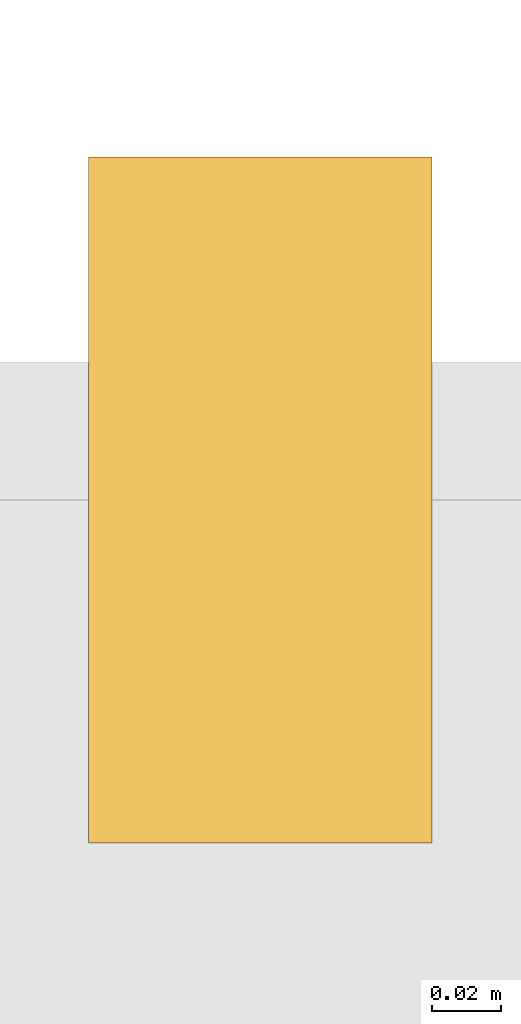
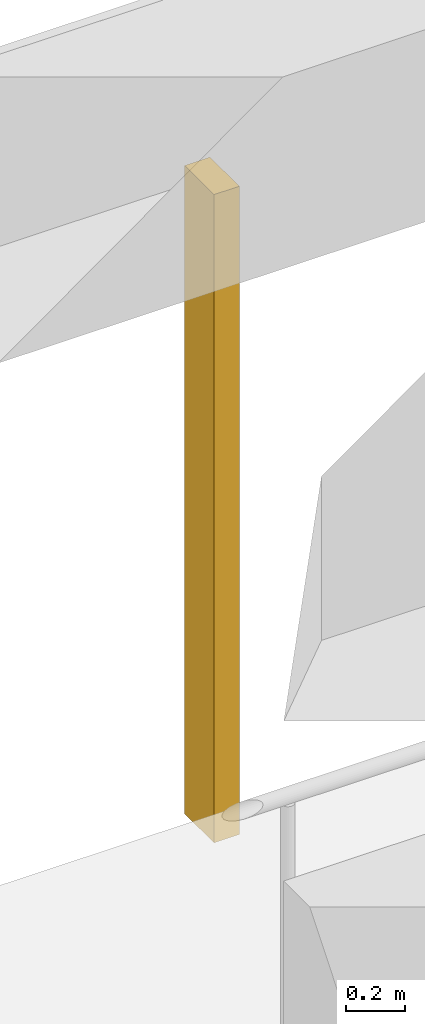
# One storey, part 15 of 22: 1 shading device.
"""IFC4 building model written with IfcOpenShell, lengths in metres."""

from ifc_helpers import new_model, si_unit, direction, frame, origin, origin_2d, place, context, subcontext, project, spatial, rectangle, extrude, material, material_profile, profile_set, type_object, element, save


model = new_model("IFC4")

# Units and contexts
model_context = context("Model", 3, precision=1e-05, world=origin(), true_north=direction((0.0, 1.0)))
body_context = subcontext(model_context, "Body", "Model", "MODEL_VIEW")
ifc_project = project(units=[si_unit("LENGTHUNIT", "METRE"), si_unit("AREAUNIT", "SQUARE_METRE"), si_unit("VOLUMEUNIT", "CUBIC_METRE"), si_unit("PLANEANGLEUNIT", "RADIAN"), si_unit("MASSUNIT", "GRAM", prefix="KILO")], contexts=[model_context])

# Site, building, storey
site_placement = place(None, origin())
site = spatial("IfcSite", under=ifc_project, at=site_placement, CompositionType="ELEMENT")
building_placement = place(site_placement, origin())
building = spatial("IfcBuilding", under=site, at=building_placement, Name="Vermilion Gate Residences", CompositionType="ELEMENT")
storey_placement = place(building_placement, frame((0.0, 0.0, 56.699951171875)))
storey = spatial("IfcBuildingStorey", under=building, at=storey_placement, Name="L13", CompositionType="ELEMENT", Elevation=56.699951171875)

# Shading device
ifc_material = material(Name="Extruded terracotta", Category="masonry")
ifc_material_profile = material_profile(ifc_material, rectangle(XDim=0.199951171875, YDim=0.10009765625, at=origin_2d()), Name="BAGUETTE 100 X 200")
ifc_profile_set = profile_set([ifc_material_profile], Name="Extruded terracotta")
shading_device_type = type_object("IfcShadingDeviceType", Name="TERRACOTTA BAGUETTE 100 X 200", PredefinedType="JALOUSIE", material=ifc_profile_set)
shading_device_placement = place(storey_placement, frame((63.0, 25.5, -0.280029296875), z_axis=(0.0, 0.0, 1.0), x_axis=(0.0, -1.0, 0.0)))
element("IfcShadingDevice", 1, at=shading_device_placement, inside=storey, type_object=shading_device_type, Name="BAGUETTE", PredefinedType="JALOUSIE", context=body_context, shape_type="SweptSolid", body=[
    extrude(rectangle(XDim=0.199951171875, YDim=0.10009765625, at=origin_2d()), origin(), (0.0, 0.0, 1.0), 2.7001953125),
])

save(model, "model.ifc")
